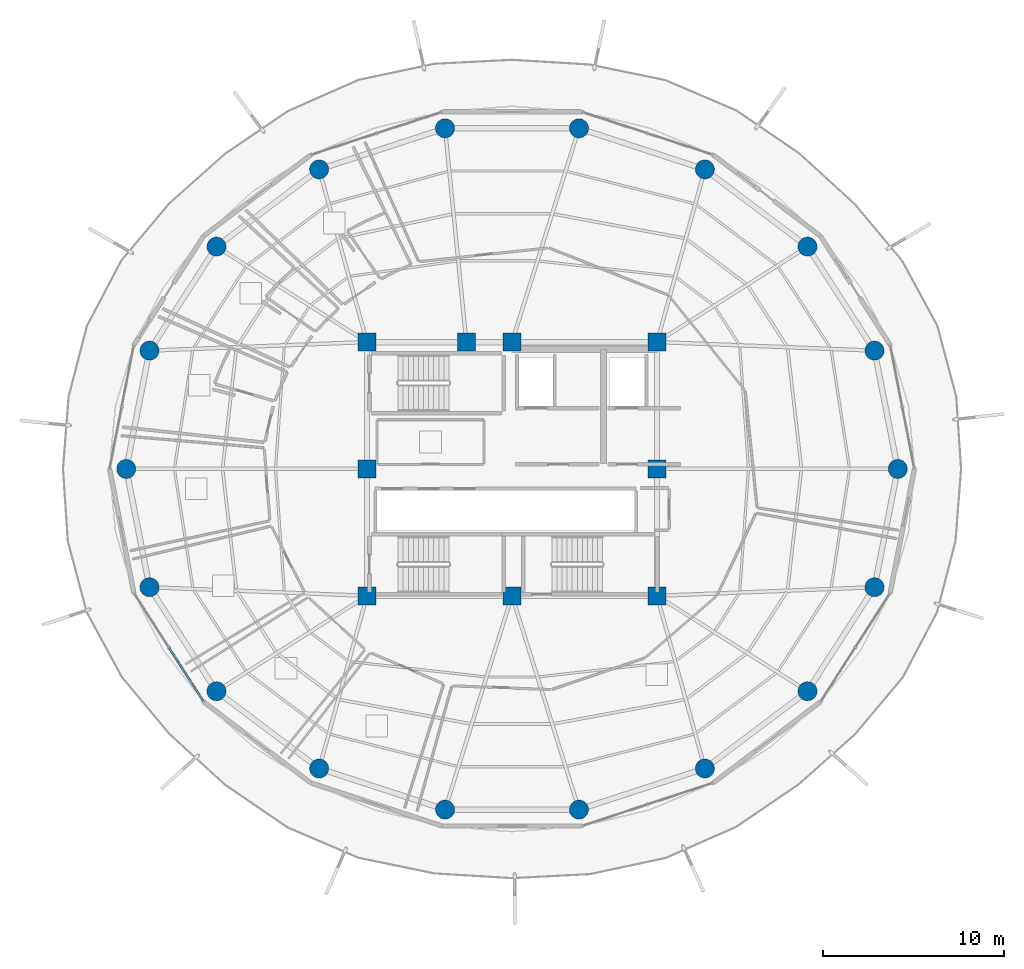
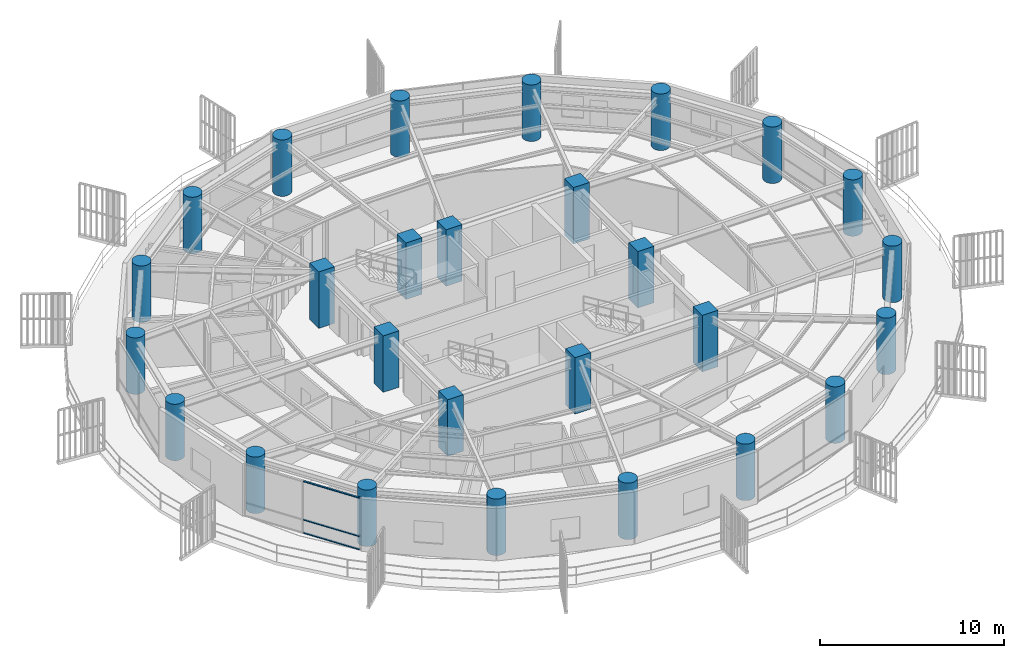
# One storey, part 1 of 31: 27 columns, 3 members, 1 element without a shape of its own.
"""IFC4 building model written with IfcOpenShell, lengths in metres."""

from ifc_helpers import new_model, si_unit, direction, frame, origin, origin_2d, place, context, subcontext, project, spatial, rectangle, hollow_rectangle, circle, extrude, material, layer, layer_set, material_profile, profile_set, type_object, element, aggregate, save


model = new_model("IFC4")

# Units and contexts
model_context = context("Model", 3, precision=1e-05, world=origin(), true_north=direction((0.0, 1.0)))
body_context = subcontext(model_context, "Body", "Model", "MODEL_VIEW")
ifc_project = project(units=[si_unit("LENGTHUNIT", "METRE"), si_unit("AREAUNIT", "SQUARE_METRE"), si_unit("VOLUMEUNIT", "CUBIC_METRE"), si_unit("PLANEANGLEUNIT", "RADIAN"), si_unit("MASSUNIT", "GRAM", prefix="KILO")], contexts=[model_context])

# Site, building, storey
site_placement = place(None, origin())
site = spatial("IfcSite", under=ifc_project, at=site_placement, CompositionType="ELEMENT")
building_placement = place(site_placement, origin())
building = spatial("IfcBuilding", under=site, at=building_placement, Name="Kelanora Arch Commons", CompositionType="ELEMENT")
storey_placement = place(building_placement, frame((0.0, 0.0, 219.449951171875)))
storey = spatial("IfcBuildingStorey", under=building, at=storey_placement, Name="L56", CompositionType="ELEMENT", Elevation=219.449951171875)

# Columns
ifc_material_1 = material(Name="Concrete C50/60", Category="concrete")
ifc_material_profile_1 = material_profile(ifc_material_1, circle(Radius=0.52490234375, at=origin_2d()), Name="RCC1050")
ifc_profile_set_1 = profile_set([ifc_material_profile_1], Name="Concrete C50/60")
column_type_1 = type_object("IfcColumnType", Name="COL-PERIM-Z4", PredefinedType="COLUMN", material=ifc_profile_set_1)
for number, where, z_axis, x_axis, name in (
    (1, (95.280029296875, 58.0, 0.0), (0.0, 0.0, 1.0), (1.0, 0.0, 0.0), "Perimeter Ring Column CP-00 L56"),
    (2, (93.99658203125, 64.525634765625, 0.0), (0.0, 0.0, 1.0), (1.0, 0.0, 0.0), "Perimeter Ring Column CP-02 L56"),
    (3, (90.301513671875, 70.264404296875, 0.0), (0.0, 0.0, 1.0), (1.0, 0.0, 0.0), "Perimeter Ring Column CP-04 L56"),
    (4, (84.639892578125, 74.523681640625, 0.0), (0.0, 0.0, 1.0), (1.0, 0.0, 0.0), "Perimeter Ring Column CP-06 L56"),
    (5, (77.6953125, 76.7900390625, 0.0), (0.0, 0.0, 1.0), (1.0, 0.0, 0.0), "Perimeter Ring Column CP-08 L56"),
    (6, (70.3046875, 76.7900390625, 0.0), (0.0, 0.0, 1.0), (1.0, 0.0, 0.0), "Perimeter Ring Column CP-10 L56"),
    (7, (63.360107421875, 74.523681640625, 0.0), (0.0, 0.0, 1.0), (1.0, 0.0, 0.0), "Perimeter Ring Column CP-12 L56"),
    (8, (57.698486328125, 70.264404296875, 0.0), (0.0, 0.0, 1.0), (1.0, 0.0, 0.0), "Perimeter Ring Column CP-14 L56"),
    (9, (54.00341796875, 64.525634765625, 0.0), (0.0, 0.0, 1.0), (1.0, 0.0, 0.0), "Perimeter Ring Column CP-16 L56"),
    (10, (52.719970703125, 58.0, 0.0), (0.0, 0.0, 1.0), (1.0, 0.0, 0.0), "Perimeter Ring Column CP-18 L56"),
    (11, (54.00341796875, 51.474365234375, 0.0), (0.0, 0.0, 1.0), (1.0, 0.0, 0.0), "Perimeter Ring Column CP-20 L56"),
    (12, (57.698486328125, 45.735595703125, 0.0), (0.0, 0.0, 1.0), (1.0, 0.0, 0.0), "Perimeter Ring Column CP-22 L56"),
    (13, (63.360107421875, 41.476318359375, 0.0), (0.0, 0.0, 1.0), (1.0, 0.0, 0.0), "Perimeter Ring Column CP-24 L56"),
    (14, (70.3046875, 39.2099609375, 0.0), (0.0, 0.0, 1.0), (1.0, 0.0, 0.0), "Perimeter Ring Column CP-26 L56"),
    (15, (77.6953125, 39.2099609375, 0.0), (0.0, 0.0, 1.0), (1.0, 0.0, 0.0), "Perimeter Ring Column CP-28 L56"),
    (16, (84.639892578125, 41.476318359375, 0.0), (0.0, 0.0, 1.0), (1.0, 0.0, 0.0), "Perimeter Ring Column CP-30 L56"),
    (17, (90.301513671875, 45.735595703125, 0.0), (0.0, 0.0, 1.0), (1.0, 0.0, 0.0), "Perimeter Ring Column CP-32 L56"),
    (18, (93.99658203125, 51.474365234375, 0.0), (0.0, 0.0, 1.0), (1.0, 0.0, 0.0), "Perimeter Ring Column CP-34 L56"),
):
    element("IfcColumn", number, at=place(storey_placement, frame(where, z_axis=z_axis, x_axis=x_axis)), inside=storey, type_object=column_type_1, Name=name, PredefinedType="COLUMN", context=body_context, shape_type="SweptSolid", body=[
        extrude(circle(Radius=0.52490234375, at=origin_2d()), origin(), (0.0, 0.0, 1.0), 3.75),
    ])
ifc_material_profile_2 = material_profile(ifc_material_1, rectangle(XDim=1.0, YDim=1.0, at=origin_2d()), Name="RC1000x1000")
ifc_profile_set_2 = profile_set([ifc_material_profile_2], Name="Concrete C50/60")
column_type_2 = type_object("IfcColumnType", Name="COL-PIL-HIGH", PredefinedType="PILASTER", material=ifc_profile_set_2)
for number, where, z_axis, x_axis, name in (
    (19, (66.0, 51.0, 0.0), (0.0, 0.0, 1.0), (1.0, 0.0, 0.0), "Core Pilaster Column CP1 L56"),
    (20, (74.0, 51.0, 0.0), (0.0, 0.0, 1.0), (1.0, 0.0, 0.0), "Core Pilaster Column CP2 L56"),
    (21, (82.0, 51.0, 0.0), (0.0, 0.0, 1.0), (1.0, 0.0, 0.0), "Core Pilaster Column CP3 L56"),
    (22, (82.0, 58.0, 0.0), (0.0, 0.0, 1.0), (1.0, 0.0, 0.0), "Core Pilaster Column CP4 L56"),
    (23, (82.0, 65.0, 0.0), (0.0, 0.0, 1.0), (1.0, 0.0, 0.0), "Core Pilaster Column CP5 L56"),
    (24, (74.0, 65.0, 0.0), (0.0, 0.0, 1.0), (1.0, 0.0, 0.0), "Core Pilaster Column CP6 L56"),
    (25, (71.47998046875, 65.0, 0.0), (0.0, 0.0, 1.0), (1.0, 0.0, 0.0), "Core Pilaster Column CP9 L56"),
    (26, (66.0, 65.0, 0.0), (0.0, 0.0, 1.0), (1.0, 0.0, 0.0), "Core Pilaster Column CP7 L56"),
    (27, (66.0, 58.0, 0.0), (0.0, 0.0, 1.0), (1.0, 0.0, 0.0), "Core Pilaster Column CP8 L56"),
):
    element("IfcColumn", number, at=place(storey_placement, frame(where, z_axis=z_axis, x_axis=x_axis)), inside=storey, type_object=column_type_2, Name=name, PredefinedType="PILASTER", context=body_context, shape_type="SweptSolid", body=[
        extrude(rectangle(XDim=1.0, YDim=1.0, at=origin_2d()), origin(), (0.0, 0.0, 1.0), 3.75),
    ])

# Curtain wall, members
ifc_material_2 = material(Name="Terracotta ceramic-fritted low-E glass and aluminium", Category="masonry")
ifc_layer = layer(ifc_material_2, 0.175048828125)
ifc_layer_set = layer_set([ifc_layer], Name="Terracotta ceramic-fritted low-E glass and aluminium")
curtain_wall_type = type_object("IfcCurtainWallType", Name="CW-SYS-02", PredefinedType="NOTDEFINED", material=ifc_layer_set)
curtain_wall_placement = place(storey_placement, origin())
curtain_wall = element("IfcCurtainWall", 28, at=curtain_wall_placement, inside=storey, type_object=curtain_wall_type, Name="Unitised Curtain Wall L56-B10", PredefinedType="NOTDEFINED")
ifc_material_3 = material(Name="Powder-coated aluminium terracotta", Category="masonry")
ifc_material_profile_3 = material_profile(ifc_material_3, hollow_rectangle(XDim=0.1201171875, YDim=0.06005859375, WallThickness=0.0048828125, InnerFilletRadius=0.0048828125, OuterFilletRadius=0.010009765625, at=origin_2d()), Name="CWT120x60")
ifc_profile_set_3 = profile_set([ifc_material_profile_3], Name="Powder-coated aluminium terracotta")
member_type = type_object("IfcMemberType", Name="CWT-STD", PredefinedType="USERDEFINED", material=ifc_profile_set_3)
member_1_placement = place(storey_placement, frame((55.08251953125, 48.126708984375, 0.030029296875), z_axis=(0.53954710894, -0.841955412854, 0.0), x_axis=(0.841955412854, 0.53954710894, 0.0)))
member_1 = element("IfcMember", 29, at=member_1_placement, type_object=member_type, Name="CW-02 transom 2.1", ObjectType="TRANSOM", PredefinedType="USERDEFINED", context=body_context, shape_type="SweptSolid", body=[
    extrude(hollow_rectangle(XDim=0.1201171875, YDim=0.06005859375, WallThickness=0.0048828125, InnerFilletRadius=0.0048828125, OuterFilletRadius=0.010009765625, at=origin_2d()), origin(), (0.0, 0.0, 1.0), 3.467529296875),
])
member_2_placement = place(storey_placement, frame((55.08251953125, 48.126708984375, 0.900146484375), z_axis=(0.53954710894, -0.841955412854, 0.0), x_axis=(0.841955412854, 0.53954710894, 0.0)))
member_2 = element("IfcMember", 30, at=member_2_placement, type_object=member_type, Name="CW-02 transom 2.2", ObjectType="TRANSOM", PredefinedType="USERDEFINED", context=body_context, shape_type="SweptSolid", body=[
    extrude(hollow_rectangle(XDim=0.1201171875, YDim=0.06005859375, WallThickness=0.0048828125, InnerFilletRadius=0.0048828125, OuterFilletRadius=0.010009765625, at=origin_2d()), origin(), (0.0, 0.0, 1.0), 3.467529296875),
])
member_3_placement = place(storey_placement, frame((55.08251953125, 48.126708984375, 3.445068359375), z_axis=(0.53954710894, -0.841955412854, 0.0), x_axis=(0.841955412854, 0.53954710894, 0.0)))
member_3 = element("IfcMember", 31, at=member_3_placement, type_object=member_type, Name="CW-02 transom 2.3", ObjectType="TRANSOM", PredefinedType="USERDEFINED", context=body_context, shape_type="SweptSolid", body=[
    extrude(hollow_rectangle(XDim=0.1201171875, YDim=0.06005859375, WallThickness=0.0048828125, InnerFilletRadius=0.0048828125, OuterFilletRadius=0.010009765625, at=origin_2d()), origin(), (0.0, 0.0, 1.0), 3.467529296875),
])
aggregate(curtain_wall, [member_1, member_2, member_3])

save(model, "model.ifc")
